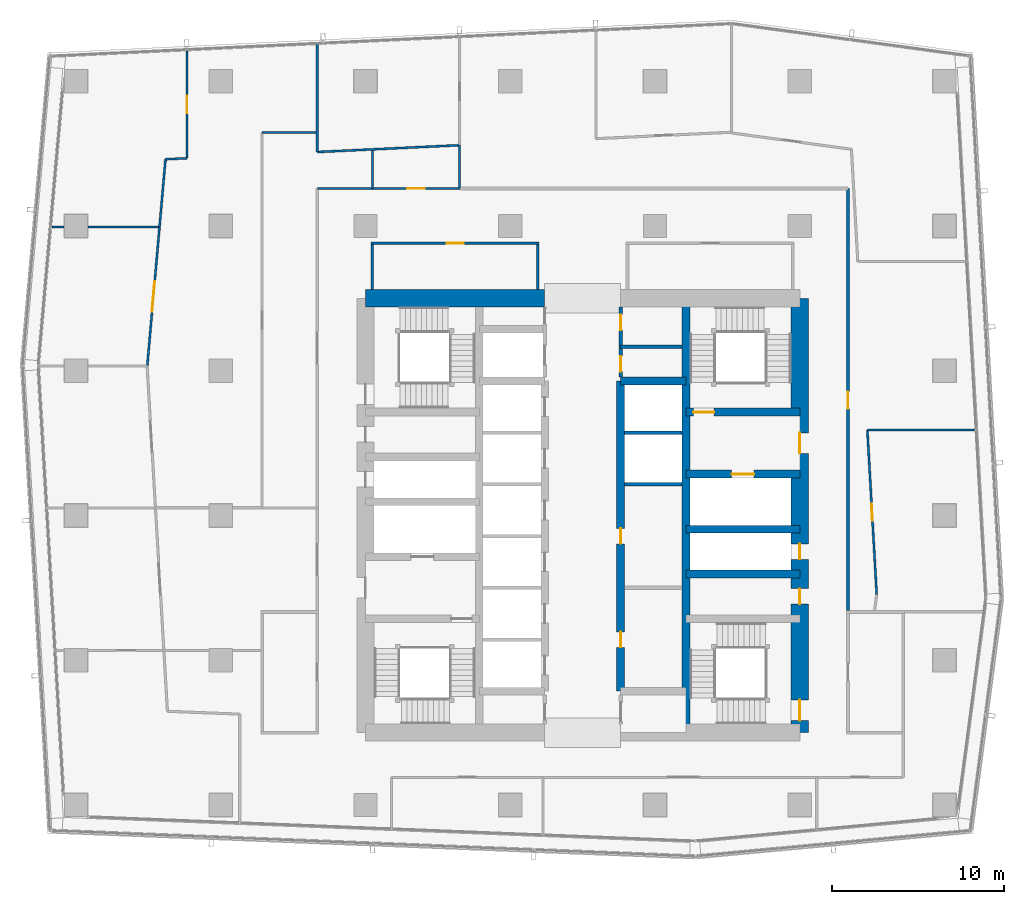
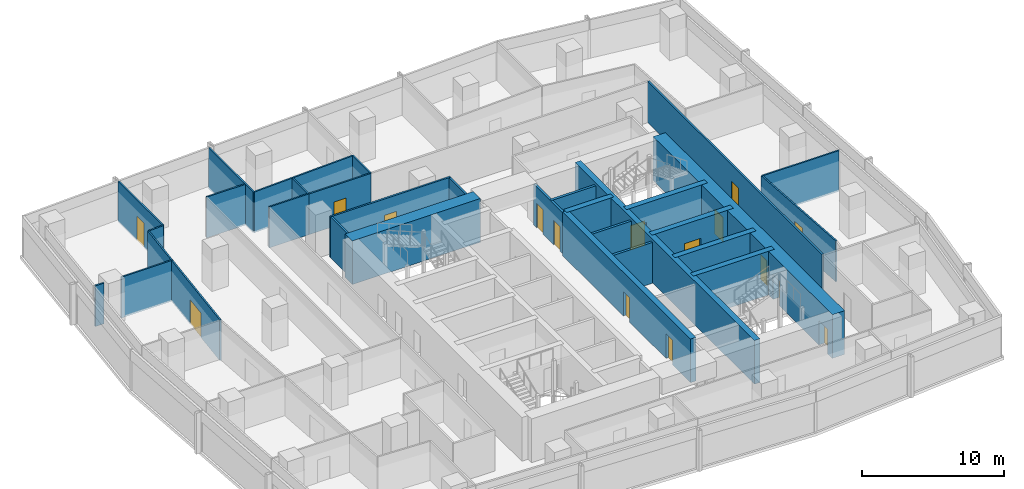
# One storey, part 29 of 39: 32 walls, 16 doors, 16 openings.
"""IFC4 building model written with IfcOpenShell, lengths in metres."""

from ifc_helpers import new_model, si_unit, direction, frame, frame_2d, origin, place, context, subcontext, project, spatial, rectangle, extrude, material, layer, layer_set, type_object, element, fill, save


model = new_model("IFC4")

# Units and contexts
model_context = context("Model", 3, precision=1e-05, world=origin(), true_north=direction((0.0, 1.0)))
body_context = subcontext(model_context, "Body", "Model", "MODEL_VIEW")
ifc_project = project(units=[si_unit("LENGTHUNIT", "METRE"), si_unit("AREAUNIT", "SQUARE_METRE"), si_unit("VOLUMEUNIT", "CUBIC_METRE"), si_unit("PLANEANGLEUNIT", "RADIAN"), si_unit("MASSUNIT", "GRAM", prefix="KILO")], contexts=[model_context])

# Site, building, storey
site_placement = place(None, origin())
site = spatial("IfcSite", under=ifc_project, at=site_placement, CompositionType="ELEMENT")
building_placement = place(site_placement, origin())
building = spatial("IfcBuilding", under=site, at=building_placement, Name="Rekha Terrace Tower", CompositionType="ELEMENT")
storey_placement = place(building_placement, frame((0.0, 0.0, 225.199951171875)))
storey = spatial("IfcBuildingStorey", under=building, at=storey_placement, Name="L57", CompositionType="ELEMENT", Elevation=225.199951171875)

# Wall
ifc_material_1 = material(Name="Concrete M60", Category="concrete")
ifc_layer_1 = layer(ifc_material_1, 0.449951171875)
ifc_layer_set_1 = layer_set([ifc_layer_1], Name="Concrete M60")
wall_type_1 = type_object("IfcWallType", Name="CI3 450 core internal shear wall", PredefinedType="SHEAR", material=ifc_layer_set_1)
wall_1_placement = place(storey_placement, frame((43.800048828125, 21.0, 0.0), z_axis=(0.0, 0.0, 1.0), x_axis=(0.0, 1.0, 0.0)))
element("IfcWall", 1, at=wall_1_placement, inside=storey, type_object=wall_type_1, Name="Core wall X438 L57", PredefinedType="SHEAR", context=body_context, shape_type="SweptSolid", body=[
    extrude(rectangle(XDim=25.199951171875, YDim=0.449951171875, at=frame_2d((12.60009765625, 0.0))), origin(), (0.0, 0.0, 1.0), 3.75),
])

# Wall, openings, doors
wall_2_placement = place(storey_placement, frame((40.0, 23.39990234375, 0.0), z_axis=(0.0, 0.0, 1.0), x_axis=(0.0, 1.0, 0.0)))
wall_2 = element("IfcWall", 2, at=wall_2_placement, inside=storey, type_object=wall_type_1, Name="Core wall X400 L57", PredefinedType="SHEAR", context=body_context, shape_type="SweptSolid", body=[
    extrude(rectangle(XDim=18.0, YDim=0.449951171875, at=frame_2d((9.0, 0.0))), origin(), (0.0, 0.0, 1.0), 3.75),
])
opening_1_placement = place(wall_2_placement, frame((2.550048828125, 0.0, 0.0)))
opening_1 = element("IfcOpeningElement", 3, at=opening_1_placement, cuts=wall_2, Name="Opening D5", PredefinedType="OPENING", context=body_context, shape_type="SweptSolid", body=[
    extrude(rectangle(XDim=0.89990234375, YDim=2.10009765625, at=frame_2d((0.449951171875, 1.050048828125))), frame((0.0, 0.23486328125, 0.0), z_axis=(0.0, -1.0, 0.0), x_axis=(1.0, 0.0, 0.0)), (0.0, 0.0, 1.0), 0.469970703125),
])
opening_2_placement = place(wall_2_placement, frame((8.550048828125, 0.0, 0.0)))
opening_2 = element("IfcOpeningElement", 4, at=opening_2_placement, cuts=wall_2, Name="Opening D5", PredefinedType="OPENING", context=body_context, shape_type="SweptSolid", body=[
    extrude(rectangle(XDim=0.89990234375, YDim=2.10009765625, at=frame_2d((0.449951171875, 1.050048828125))), frame((0.0, 0.23486328125, 0.0), z_axis=(0.0, -1.0, 0.0), x_axis=(1.0, 0.0, 0.0)), (0.0, 0.0, 1.0), 0.469970703125),
])
ifc_material_2 = material(Name="Steel fire door", Category="steel")
door_type_1 = type_object("IfcDoorType", Name="D5 900x2100 riser access door", OperationType="SINGLE_SWING_LEFT", PredefinedType="DOOR", material=ifc_material_2)
door_1_placement = place(opening_1_placement, origin())
door_1 = element("IfcDoor", 5, at=door_1_placement, inside=storey, type_object=door_type_1, Name="Door back-of-house store L57", OperationType="SINGLE_SWING_LEFT", OverallHeight=2.10009765625, OverallWidth=0.89990234375, PredefinedType="DOOR", context=body_context, shape_type="SweptSolid", body=[
    extrude(rectangle(XDim=0.89990234375, YDim=2.10009765625, at=frame_2d((0.449951171875, 1.050048828125))), frame((0.0, 0.02490234375, 0.0), z_axis=(0.0, -1.0, 0.0), x_axis=(1.0, 0.0, 0.0)), (0.0, 0.0, 1.0), 0.050048828125),
])
fill(opening_1, door_1)
door_2_placement = place(opening_2_placement, origin())
door_2 = element("IfcDoor", 6, at=door_2_placement, inside=storey, type_object=door_type_1, Name="Door back-of-house store L57", OperationType="SINGLE_SWING_LEFT", OverallHeight=2.10009765625, OverallWidth=0.89990234375, PredefinedType="DOOR", context=body_context, shape_type="SweptSolid", body=[
    extrude(rectangle(XDim=0.89990234375, YDim=2.10009765625, at=frame_2d((0.449951171875, 1.050048828125))), frame((0.0, 0.02490234375, 0.0), z_axis=(0.0, -1.0, 0.0), x_axis=(1.0, 0.0, 0.0)), (0.0, 0.0, 1.0), 0.050048828125),
])
fill(opening_2, door_2)

# Walls
wall_3_placement = place(storey_placement, frame((40.0, 41.39990234375, 0.0), z_axis=(0.0, 0.0, 1.0), x_axis=(1.0, 0.0, 0.0)))
element("IfcWall", 7, at=wall_3_placement, inside=storey, type_object=wall_type_1, Name="Core wall Y414E L57", PredefinedType="SHEAR", context=body_context, shape_type="SweptSolid", body=[
    extrude(rectangle(XDim=3.800048828125, YDim=0.449951171875, at=frame_2d((1.89990234375, 0.0))), origin(), (0.0, 0.0, 1.0), 3.75),
])
for number, where, z_axis, x_axis, name in (
    (8, (43.800048828125, 30.199951171875, 0.0), (0.0, 0.0, 1.0), (1.0, 0.0, 0.0), "Core wall Y302E L57"),
    (9, (43.800048828125, 32.800048828125, 0.0), (0.0, 0.0, 1.0), (1.0, 0.0, 0.0), "Core wall Y328E L57"),
):
    element("IfcWall", number, at=place(storey_placement, frame(where, z_axis=z_axis, x_axis=x_axis)), inside=storey, type_object=wall_type_1, Name=name, PredefinedType="SHEAR", context=body_context, shape_type="SweptSolid", body=[
        extrude(rectangle(XDim=6.599853515625, YDim=0.449951171875, at=frame_2d((3.2998046875, 0.0))), origin(), (0.0, 0.0, 1.0), 3.75),
    ])

# Wall, opening, door
wall_4_placement = place(storey_placement, frame((43.800048828125, 36.0, 0.0), z_axis=(0.0, 0.0, 1.0), x_axis=(1.0, 0.0, 0.0)))
wall_4 = element("IfcWall", 10, at=wall_4_placement, inside=storey, type_object=wall_type_1, Name="Core wall Y360E L57", PredefinedType="SHEAR", context=body_context, shape_type="SweptSolid", body=[
    extrude(rectangle(XDim=6.599853515625, YDim=0.449951171875, at=frame_2d((3.2998046875, 0.0))), origin(), (0.0, 0.0, 1.0), 3.75),
])
opening_3_placement = place(wall_4_placement, frame((2.64990234375, 0.0, 0.0)))
opening_3 = element("IfcOpeningElement", 11, at=opening_3_placement, cuts=wall_4, Name="Opening LD2", PredefinedType="OPENING", context=body_context, shape_type="SweptSolid", body=[
    extrude(rectangle(XDim=1.300048828125, YDim=2.10009765625, at=frame_2d((0.64990234375, 1.050048828125))), frame((0.0, 0.23486328125, 0.0), z_axis=(0.0, -1.0, 0.0), x_axis=(1.0, 0.0, 0.0)), (0.0, 0.0, 1.0), 0.469970703125),
])
ifc_material_3 = material(Name="Stainless steel sliding landing door", Category="steel")
door_type_2 = type_object("IfcDoorType", Name="LD2 1300x2100 fire lift landing door", OperationType="SLIDING_TO_LEFT", PredefinedType="USERDEFINED", material=ifc_material_3)
door_3_placement = place(opening_3_placement, origin())
door_3 = element("IfcDoor", 12, at=door_3_placement, inside=storey, type_object=door_type_2, Name="Lift FL2 landing door L57", ObjectType="LIFT LANDING DOOR", OperationType="SLIDING_TO_LEFT", OverallHeight=2.10009765625, OverallWidth=1.300048828125, PredefinedType="USERDEFINED", context=body_context, shape_type="SweptSolid", body=[
    extrude(rectangle(XDim=1.300048828125, YDim=2.10009765625, at=frame_2d((0.64990234375, 1.050048828125))), frame((0.0, 0.02490234375, 0.0), z_axis=(0.0, -1.0, 0.0), x_axis=(1.0, 0.0, 0.0)), (0.0, 0.0, 1.0), 0.050048828125),
])
fill(opening_3, door_3)

wall_5_placement = place(storey_placement, frame((43.800048828125, 39.60009765625, 0.0), z_axis=(0.0, 0.0, 1.0), x_axis=(1.0, 0.0, 0.0)))
wall_5 = element("IfcWall", 13, at=wall_5_placement, inside=storey, type_object=wall_type_1, Name="Core wall Y396E L57", PredefinedType="SHEAR", context=body_context, shape_type="SweptSolid", body=[
    extrude(rectangle(XDim=6.599853515625, YDim=0.449951171875, at=frame_2d((3.2998046875, 0.0))), origin(), (0.0, 0.0, 1.0), 3.75),
])
opening_4_placement = place(wall_5_placement, frame((0.425048828125, 0.0, 0.0)))
opening_4 = element("IfcOpeningElement", 14, at=opening_4_placement, cuts=wall_5, Name="Opening D1", PredefinedType="OPENING", context=body_context, shape_type="SweptSolid", body=[
    extrude(rectangle(XDim=1.199951171875, YDim=2.10009765625, at=frame_2d((0.60009765625, 1.050048828125))), frame((0.0, 0.23486328125, 0.0), z_axis=(0.0, -1.0, 0.0), x_axis=(1.0, 0.0, 0.0)), (0.0, 0.0, 1.0), 0.469970703125),
])
door_type_3 = type_object("IfcDoorType", Name="D1 1200x2100 stair fire door", OperationType="SINGLE_SWING_RIGHT", PredefinedType="DOOR", material=ifc_material_2)
door_4_placement = place(opening_4_placement, origin())
door_4 = element("IfcDoor", 15, at=door_4_placement, inside=storey, type_object=door_type_3, Name="Stair ST2 door L57", OperationType="SINGLE_SWING_RIGHT", OverallHeight=2.10009765625, OverallWidth=1.199951171875, PredefinedType="DOOR", context=body_context, shape_type="SweptSolid", body=[
    extrude(rectangle(XDim=1.199951171875, YDim=2.10009765625, at=frame_2d((0.60009765625, 1.050048828125))), frame((0.0, 0.02490234375, 0.0), z_axis=(0.0, -1.0, 0.0), x_axis=(1.0, 0.0, 0.0)), (0.0, 0.0, 1.0), 0.050048828125),
])
fill(opening_4, door_4)

# Wall
ifc_layer_2 = layer(ifc_material_1, 1.0)
ifc_layer_set_2 = layer_set([ifc_layer_2], Name="Concrete M60")
wall_type_2 = type_object("IfcWallType", Name="SW3 1000 core outer shear wall", PredefinedType="SHEAR", material=ifc_layer_set_2)
wall_6_placement = place(storey_placement, frame((25.199951171875, 46.199951171875, 0.0), z_axis=(0.0, 0.0, 1.0), x_axis=(1.0, 0.0, 0.0)))
element("IfcWall", 16, at=wall_6_placement, inside=storey, type_object=wall_type_2, Name="Core wall N1 L57", PredefinedType="SHEAR", context=body_context, shape_type="SweptSolid", body=[
    extrude(rectangle(XDim=10.400146484375, YDim=1.0, at=frame_2d((5.2001953125, 0.0))), origin(), (0.0, 0.0, 1.0), 3.75),
])

# Wall, openings, doors
wall_7_placement = place(storey_placement, frame((50.39990234375, 21.0, 0.0), z_axis=(0.0, 0.0, 1.0), x_axis=(0.0, 1.0, 0.0)))
wall_7 = element("IfcWall", 17, at=wall_7_placement, inside=storey, type_object=wall_type_2, Name="Core wall E L57", PredefinedType="SHEAR", context=body_context, shape_type="SweptSolid", body=[
    extrude(rectangle(XDim=25.199951171875, YDim=1.0, at=frame_2d((12.60009765625, 0.0))), origin(), (0.0, 0.0, 1.0), 3.75),
])
opening_5_placement = place(wall_7_placement, frame((16.199951171875, 0.0, 0.0)))
opening_5 = element("IfcOpeningElement", 18, at=opening_5_placement, cuts=wall_7, Name="Opening D2", PredefinedType="OPENING", context=body_context, shape_type="SweptSolid", body=[
    extrude(rectangle(XDim=1.199951171875, YDim=2.10009765625, at=frame_2d((0.60009765625, 1.050048828125))), frame((0.0, 0.510009765625, 0.0), z_axis=(0.0, -1.0, 0.0), x_axis=(1.0, 0.0, 0.0)), (0.0, 0.0, 1.0), 1.02001953125),
])
opening_6_placement = place(wall_7_placement, frame((10.050048828125, 0.0, 0.0)))
opening_6 = element("IfcOpeningElement", 19, at=opening_6_placement, cuts=wall_7, Name="Opening D5", PredefinedType="OPENING", context=body_context, shape_type="SweptSolid", body=[
    extrude(rectangle(XDim=0.89990234375, YDim=2.10009765625, at=frame_2d((0.449951171875, 1.050048828125))), frame((0.0, 0.510009765625, 0.0), z_axis=(0.0, -1.0, 0.0), x_axis=(1.0, 0.0, 0.0)), (0.0, 0.0, 1.0), 1.02001953125),
])
opening_7_placement = place(wall_7_placement, frame((7.449951171875, 0.0, 0.0)))
opening_7 = element("IfcOpeningElement", 20, at=opening_7_placement, cuts=wall_7, Name="Opening D5", PredefinedType="OPENING", context=body_context, shape_type="SweptSolid", body=[
    extrude(rectangle(XDim=0.89990234375, YDim=2.10009765625, at=frame_2d((0.449951171875, 1.050048828125))), frame((0.0, 0.510009765625, 0.0), z_axis=(0.0, -1.0, 0.0), x_axis=(1.0, 0.0, 0.0)), (0.0, 0.0, 1.0), 1.02001953125),
])
opening_8_placement = place(wall_7_placement, frame((0.699951171875, 0.0, 0.0)))
opening_8 = element("IfcOpeningElement", 21, at=opening_8_placement, cuts=wall_7, Name="Opening D1", PredefinedType="OPENING", context=body_context, shape_type="SweptSolid", body=[
    extrude(rectangle(XDim=1.199951171875, YDim=2.10009765625, at=frame_2d((0.60009765625, 1.050048828125))), frame((0.0, 0.510009765625, 0.0), z_axis=(0.0, -1.0, 0.0), x_axis=(1.0, 0.0, 0.0)), (0.0, 0.0, 1.0), 1.02001953125),
])
door_5_placement = place(opening_8_placement, origin())
door_5 = element("IfcDoor", 22, at=door_5_placement, inside=storey, type_object=door_type_3, Name="Stair ST3 door L57", OperationType="SINGLE_SWING_RIGHT", OverallHeight=2.10009765625, OverallWidth=1.199951171875, PredefinedType="DOOR", context=body_context, shape_type="SweptSolid", body=[
    extrude(rectangle(XDim=1.199951171875, YDim=2.10009765625, at=frame_2d((0.60009765625, 1.050048828125))), frame((0.0, 0.02490234375, 0.0), z_axis=(0.0, -1.0, 0.0), x_axis=(1.0, 0.0, 0.0)), (0.0, 0.0, 1.0), 0.050048828125),
])
fill(opening_8, door_5)
door_type_4 = type_object("IfcDoorType", Name="D2 1200x2100 firefighting lobby door", OperationType="SINGLE_SWING_LEFT", PredefinedType="DOOR", material=ifc_material_2)
door_6_placement = place(opening_5_placement, origin())
door_6 = element("IfcDoor", 23, at=door_6_placement, inside=storey, type_object=door_type_4, Name="Door flb2 L57", OperationType="SINGLE_SWING_LEFT", OverallHeight=2.10009765625, OverallWidth=1.199951171875, PredefinedType="DOOR", context=body_context, shape_type="SweptSolid", body=[
    extrude(rectangle(XDim=1.199951171875, YDim=2.10009765625, at=frame_2d((0.60009765625, 1.050048828125))), frame((0.0, 0.02490234375, 0.0), z_axis=(0.0, -1.0, 0.0), x_axis=(1.0, 0.0, 0.0)), (0.0, 0.0, 1.0), 0.050048828125),
])
fill(opening_5, door_6)
door_7_placement = place(opening_6_placement, origin())
door_7 = element("IfcDoor", 24, at=door_7_placement, inside=storey, type_object=door_type_1, Name="Door rs2 L57", OperationType="SINGLE_SWING_LEFT", OverallHeight=2.10009765625, OverallWidth=0.89990234375, PredefinedType="DOOR", context=body_context, shape_type="SweptSolid", body=[
    extrude(rectangle(XDim=0.89990234375, YDim=2.10009765625, at=frame_2d((0.449951171875, 1.050048828125))), frame((0.0, 0.02490234375, 0.0), z_axis=(0.0, -1.0, 0.0), x_axis=(1.0, 0.0, 0.0)), (0.0, 0.0, 1.0), 0.050048828125),
])
fill(opening_6, door_7)
door_8_placement = place(opening_7_placement, origin())
door_8 = element("IfcDoor", 25, at=door_8_placement, inside=storey, type_object=door_type_1, Name="Door ele L57", OperationType="SINGLE_SWING_LEFT", OverallHeight=2.10009765625, OverallWidth=0.89990234375, PredefinedType="DOOR", context=body_context, shape_type="SweptSolid", body=[
    extrude(rectangle(XDim=0.89990234375, YDim=2.10009765625, at=frame_2d((0.449951171875, 1.050048828125))), frame((0.0, 0.02490234375, 0.0), z_axis=(0.0, -1.0, 0.0), x_axis=(1.0, 0.0, 0.0)), (0.0, 0.0, 1.0), 0.050048828125),
])
fill(opening_7, door_8)

# Wall, opening, door
ifc_material_4 = material(Name="Concrete block masonry, 1 hour", Category="masonry")
ifc_layer_3 = layer(ifc_material_4, 0.14990234375)
ifc_layer_set_3 = layer_set([ifc_layer_3], Name="Concrete block masonry, 1 hour")
wall_type_3 = type_object("IfcWallType", Name="WP2 150 tenancy partition", PredefinedType="PARTITIONING", material=ifc_layer_set_3)
wall_8_placement = place(storey_placement, frame((25.52490234375, 49.39990234375, 0.0), z_axis=(0.0, 0.0, 1.0), x_axis=(1.0, 0.0, 0.0)))
wall_8 = element("IfcWall", 26, at=wall_8_placement, inside=storey, type_object=wall_type_3, Name="Women's WC wall L57", PredefinedType="PARTITIONING", context=body_context, shape_type="SweptSolid", body=[
    extrude(rectangle(XDim=9.75, YDim=0.14990234375, at=frame_2d((4.875, 0.0))), origin(), (0.0, 0.0, 1.0), 3.5),
])
opening_9_placement = place(wall_8_placement, frame((4.375, 0.0, 0.0)))
opening_9 = element("IfcOpeningElement", 27, at=opening_9_placement, cuts=wall_8, Name="Opening D3", PredefinedType="OPENING", context=body_context, shape_type="SweptSolid", body=[
    extrude(rectangle(XDim=1.0, YDim=2.10009765625, at=frame_2d((0.5, 1.050048828125))), frame((0.0, 0.0849609375, 0.0), z_axis=(0.0, -1.0, 0.0), x_axis=(1.0, 0.0, 0.0)), (0.0, 0.0, 1.0), 0.169921875),
])
ifc_material_5 = material(Name="Laminated timber fire door", Category="wood")
door_type_5 = type_object("IfcDoorType", Name="D3 1000x2100 WC door", OperationType="SINGLE_SWING_LEFT", PredefinedType="DOOR", material=ifc_material_5)
door_9_placement = place(opening_9_placement, origin())
door_9 = element("IfcDoor", 28, at=door_9_placement, inside=storey, type_object=door_type_5, Name="Door women's wc L57", OperationType="SINGLE_SWING_LEFT", OverallHeight=2.10009765625, OverallWidth=1.0, PredefinedType="DOOR", context=body_context, shape_type="SweptSolid", body=[
    extrude(rectangle(XDim=1.0, YDim=2.10009765625, at=frame_2d((0.5, 1.050048828125))), frame((0.0, 0.02490234375, 0.0), z_axis=(0.0, -1.0, 0.0), x_axis=(1.0, 0.0, 0.0)), (0.0, 0.0, 1.0), 0.050048828125),
])
fill(opening_9, door_9)

# Walls
for number, where, z_axis, x_axis, name in (
    (29, (25.60009765625, 46.699951171875, 0.0), (0.0, 0.0, 1.0), (0.0, 1.0, 0.0), "Women's WC wall L57"),
    (30, (35.199951171875, 46.699951171875, 0.0), (0.0, 0.0, 1.0), (0.0, 1.0, 0.0), "Women's WC wall L57"),
):
    element("IfcWall", number, at=place(storey_placement, frame(where, z_axis=z_axis, x_axis=x_axis)), inside=storey, type_object=wall_type_3, Name=name, PredefinedType="PARTITIONING", context=body_context, shape_type="SweptSolid", body=[
        extrude(rectangle(XDim=2.625, YDim=0.14990234375, at=frame_2d((1.3125, 0.0))), origin(), (0.0, 0.0, 1.0), 3.5),
    ])

# Wall, opening, door
wall_9_placement = place(storey_placement, frame((53.199951171875, 28.074951171875, 0.0), z_axis=(0.0, 0.0, 1.0), x_axis=(0.0, 1.0, 0.0)))
wall_9 = element("IfcWall", 31, at=wall_9_placement, inside=storey, type_object=wall_type_3, Name="Partition L57-O1", PredefinedType="PARTITIONING", context=body_context, shape_type="SweptSolid", body=[
    extrude(rectangle(XDim=24.5, YDim=0.14990234375, at=frame_2d((12.25, 0.0))), origin(), (0.0, 0.0, 1.0), 3.5),
])
opening_10_placement = place(wall_9_placement, frame((11.712890625, 0.0, 0.0)))
opening_10 = element("IfcOpeningElement", 32, at=opening_10_placement, cuts=wall_9, Name="Opening D9", PredefinedType="OPENING", context=body_context, shape_type="SweptSolid", body=[
    extrude(rectangle(XDim=1.0, YDim=2.10009765625, at=frame_2d((0.5, 1.050048828125))), frame((0.0, 0.0849609375, 0.0), z_axis=(0.0, -1.0, 0.0), x_axis=(1.0, 0.0, 0.0)), (0.0, 0.0, 1.0), 0.169921875),
])
ifc_material_6 = material(Name="Timber fire door", Category="wood")
door_type_6 = type_object("IfcDoorType", Name="D9 1000x2100 office door", OperationType="SINGLE_SWING_LEFT", PredefinedType="DOOR", material=ifc_material_6)
door_10_placement = place(opening_10_placement, origin())
door_10 = element("IfcDoor", 33, at=door_10_placement, inside=storey, type_object=door_type_6, Name="Door open-plan office L57", OperationType="SINGLE_SWING_LEFT", OverallHeight=2.10009765625, OverallWidth=1.0, PredefinedType="DOOR", context=body_context, shape_type="SweptSolid", body=[
    extrude(rectangle(XDim=1.0, YDim=2.10009765625, at=frame_2d((0.5, 1.050048828125))), frame((0.0, 0.02490234375, 0.0), z_axis=(0.0, -1.0, 0.0), x_axis=(1.0, 0.0, 0.0)), (0.0, 0.0, 1.0), 0.050048828125),
])
fill(opening_10, door_10)

ifc_material_7 = material(Name="Two layers of fire-rated gypsum board each side on steel studs, acoustic quilt, 1 hour", Category="steel")
ifc_layer_4 = layer(ifc_material_7, 0.125)
ifc_layer_set_4 = layer_set([ifc_layer_4], Name="Two layers of fire-rated gypsum board each side on steel studs, acoustic quilt, 1 hour")
wall_type_4 = type_object("IfcWallType", Name="WP3 125 office partition", PredefinedType="PARTITIONING", material=ifc_layer_set_4)
wall_10_placement = place(storey_placement, frame((54.862060546875, 29.01708984375, 0.0), z_axis=(0.0, 0.0, 1.0), x_axis=(-0.056632031714, 0.99839511867, 0.0)))
wall_10 = element("IfcWall", 34, at=wall_10_placement, inside=storey, type_object=wall_type_4, Name="Partition L57-04", PredefinedType="PARTITIONING", context=body_context, shape_type="SweptSolid", body=[
    extrude(rectangle(XDim=9.55322265625, YDim=0.125, at=frame_2d((4.776611328125, 0.0))), origin(), (0.0, 0.0, 1.0), 3.5),
])
opening_11_placement = place(wall_10_placement, frame((4.277099609375, 0.0, 0.0)))
opening_11 = element("IfcOpeningElement", 35, at=opening_11_placement, cuts=wall_10, Name="Opening D9", PredefinedType="OPENING", context=body_context, shape_type="SweptSolid", body=[
    extrude(rectangle(XDim=1.0, YDim=2.10009765625, at=frame_2d((0.5, 1.050048828125))), frame((0.0, 0.072509765625, 0.0), z_axis=(0.0, -1.0, 0.0), x_axis=(1.0, 0.0, 0.0)), (0.0, 0.0, 1.0), 0.14501953125),
])
door_11_placement = place(opening_11_placement, origin())
door_11 = element("IfcDoor", 36, at=door_11_placement, inside=storey, type_object=door_type_6, Name="Door director's office L57", OperationType="SINGLE_SWING_LEFT", OverallHeight=2.10009765625, OverallWidth=1.0, PredefinedType="DOOR", context=body_context, shape_type="SweptSolid", body=[
    extrude(rectangle(XDim=1.0, YDim=2.10009765625, at=frame_2d((0.5, 1.050048828125))), frame((0.0, 0.02490234375, 0.0), z_axis=(0.0, -1.0, 0.0), x_axis=(1.0, 0.0, 0.0)), (0.0, 0.0, 1.0), 0.050048828125),
])
fill(opening_11, door_11)

# Walls
wall_11_placement = place(storey_placement, frame((54.321044921875, 38.554931640625, 0.0), z_axis=(0.0, 0.0, 1.0), x_axis=(1.0, 0.0, 0.0)))
element("IfcWall", 37, at=wall_11_placement, inside=storey, type_object=wall_type_4, Name="Partition L57-04", PredefinedType="PARTITIONING", context=body_context, shape_type="SweptSolid", body=[
    extrude(rectangle(XDim=6.22998046875, YDim=0.125, at=frame_2d((3.114990234375, 0.0))), origin(), (0.0, 0.0, 1.0), 3.5),
])
wall_12_placement = place(storey_placement, frame((30.660888671875, 55.0859375, 0.0), z_axis=(0.0, 0.0, 1.0), x_axis=(-0.998858431805, -0.047768537897, 0.0)))
element("IfcWall", 38, at=wall_12_placement, inside=storey, type_object=wall_type_4, Name="Partition L57-07", PredefinedType="PARTITIONING", context=body_context, shape_type="SweptSolid", body=[
    extrude(rectangle(XDim=8.26953125, YDim=0.125, at=frame_2d((4.134765625, 0.0))), origin(), (0.0, 0.0, 1.0), 3.5),
])
wall_13_placement = place(storey_placement, frame((22.40087890625, 54.69091796875, 0.0), z_axis=(0.0, 0.0, 1.0), x_axis=(0.0, 1.0, 0.0)))
element("IfcWall", 39, at=wall_13_placement, inside=storey, type_object=wall_type_4, Name="Partition L57-07", PredefinedType="PARTITIONING", context=body_context, shape_type="SweptSolid", body=[
    extrude(rectangle(XDim=6.257080078125, YDim=0.125, at=frame_2d((3.12841796875, 0.0))), origin(), (0.0, 0.0, 1.0), 3.5),
])

# Wall, opening, door
wall_14_placement = place(storey_placement, frame((14.842041015625, 60.556884765625, 0.0), z_axis=(0.0, 0.0, 1.0), x_axis=(0.0, -1.0, 0.0)))
wall_14 = element("IfcWall", 40, at=wall_14_placement, inside=storey, type_object=wall_type_4, Name="Partition L57-08", PredefinedType="PARTITIONING", context=body_context, shape_type="SweptSolid", body=[
    extrude(rectangle(XDim=6.227783203125, YDim=0.125, at=frame_2d((3.11376953125, 0.0))), origin(), (0.0, 0.0, 1.0), 3.5),
])
opening_12_placement = place(wall_14_placement, frame((2.614013671875, 0.0, 0.0)))
opening_12 = element("IfcOpeningElement", 41, at=opening_12_placement, cuts=wall_14, Name="Opening D9", PredefinedType="OPENING", context=body_context, shape_type="SweptSolid", body=[
    extrude(rectangle(XDim=1.0, YDim=2.10009765625, at=frame_2d((0.5, 1.050048828125))), frame((0.0, 0.072509765625, 0.0), z_axis=(0.0, -1.0, 0.0), x_axis=(1.0, 0.0, 0.0)), (0.0, 0.0, 1.0), 0.14501953125),
])
door_12_placement = place(opening_12_placement, origin())
door_12 = element("IfcDoor", 42, at=door_12_placement, inside=storey, type_object=door_type_6, Name="Door director's office L57", OperationType="SINGLE_SWING_LEFT", OverallHeight=2.10009765625, OverallWidth=1.0, PredefinedType="DOOR", context=body_context, shape_type="SweptSolid", body=[
    extrude(rectangle(XDim=1.0, YDim=2.10009765625, at=frame_2d((0.5, 1.050048828125))), frame((0.0, 0.02490234375, 0.0), z_axis=(0.0, -1.0, 0.0), x_axis=(1.0, 0.0, 0.0)), (0.0, 0.0, 1.0), 0.050048828125),
])
fill(opening_12, door_12)

# Walls
wall_15_placement = place(storey_placement, frame((14.842041015625, 54.3291015625, 0.0), z_axis=(0.0, 0.0, 1.0), x_axis=(-0.998883106922, -0.047249748216, 0.0)))
element("IfcWall", 43, at=wall_15_placement, inside=storey, type_object=wall_type_4, Name="Partition L57-08", PredefinedType="PARTITIONING", context=body_context, shape_type="SweptSolid", body=[
    extrude(rectangle(XDim=1.25048828125, YDim=0.125, at=frame_2d((0.625244140625, 0.0))), origin(), (0.0, 0.0, 1.0), 3.5),
])
wall_16_placement = place(storey_placement, frame((13.593017578125, 54.27001953125, 0.0), z_axis=(0.0, 0.0, 1.0), x_axis=(-0.088001948608, -0.996120302494, 0.0)))
element("IfcWall", 44, at=wall_16_placement, inside=storey, type_object=wall_type_4, Name="Partition L57-08", PredefinedType="PARTITIONING", context=body_context, shape_type="SweptSolid", body=[
    extrude(rectangle(XDim=3.953369140625, YDim=0.125, at=frame_2d((1.9765625, 0.0))), origin(), (0.0, 0.0, 1.0), 3.5),
])
wall_17_placement = place(storey_placement, frame((13.2451171875, 50.33203125, 0.0), z_axis=(0.0, 0.0, 1.0), x_axis=(-1.0, 0.0, 0.0)))
element("IfcWall", 45, at=wall_17_placement, inside=storey, type_object=wall_type_4, Name="Partition L57-08", PredefinedType="PARTITIONING", context=body_context, shape_type="SweptSolid", body=[
    extrude(rectangle(XDim=4.150146484375, YDim=0.125, at=frame_2d((2.0751953125, 0.0))), origin(), (0.0, 0.0, 1.0), 3.5),
])
wall_18_placement = place(storey_placement, frame((7.705078125, 50.33203125, 0.0), z_axis=(0.0, 0.0, 1.0), x_axis=(-1.0, 0.0, 0.0)))
element("IfcWall", 46, at=wall_18_placement, inside=storey, type_object=wall_type_4, Name="Partition L57-08", PredefinedType="PARTITIONING", context=body_context, shape_type="SweptSolid", body=[
    extrude(rectangle(XDim=0.7041015625, YDim=0.125, at=frame_2d((0.35205078125, 0.0))), origin(), (0.0, 0.0, 1.0), 3.5),
])

# Wall, opening, door
wall_19_placement = place(storey_placement, frame((13.2451171875, 50.3310546875, 0.0), z_axis=(0.0, 0.0, 1.0), x_axis=(-0.087903511106, -0.996128994024, 0.0)))
wall_19 = element("IfcWall", 47, at=wall_19_placement, inside=storey, type_object=wall_type_4, Name="Partition L57-09", PredefinedType="PARTITIONING", context=body_context, shape_type="SweptSolid", body=[
    extrude(rectangle(XDim=8.079345703125, YDim=0.125, at=frame_2d((4.03955078125, 0.0))), origin(), (0.0, 0.0, 1.0), 3.5),
])
opening_13_placement = place(wall_19_placement, frame((3.139892578125, 0.0, 0.0)))
opening_13 = element("IfcOpeningElement", 48, at=opening_13_placement, cuts=wall_19, Name="Opening D8", PredefinedType="OPENING", context=body_context, shape_type="SweptSolid", body=[
    extrude(rectangle(XDim=1.800048828125, YDim=2.10009765625, at=frame_2d((0.89990234375, 1.050048828125))), frame((0.0, 0.072509765625, 0.0), z_axis=(0.0, -1.0, 0.0), x_axis=(1.0, 0.0, 0.0)), (0.0, 0.0, 1.0), 0.14501953125),
])
door_type_7 = type_object("IfcDoorType", Name="D8 1800x2100 double leaf door", OperationType="DOUBLE_DOOR_SINGLE_SWING", PredefinedType="DOOR", material=ifc_material_6)
door_13_placement = place(opening_13_placement, origin())
door_13 = element("IfcDoor", 49, at=door_13_placement, inside=storey, type_object=door_type_7, Name="Door print room L57", OperationType="DOUBLE_DOOR_SINGLE_SWING", OverallHeight=2.10009765625, OverallWidth=1.800048828125, PredefinedType="DOOR", context=body_context, shape_type="SweptSolid", body=[
    extrude(rectangle(XDim=1.800048828125, YDim=2.10009765625, at=frame_2d((0.89990234375, 1.050048828125))), frame((0.0, 0.02490234375, 0.0), z_axis=(0.0, -1.0, 0.0), x_axis=(1.0, 0.0, 0.0)), (0.0, 0.0, 1.0), 0.050048828125),
])
fill(opening_13, door_13)

# Walls
wall_20_placement = place(storey_placement, frame((25.60009765625, 54.781005859375, 0.0), z_axis=(0.0, 0.0, 1.0), x_axis=(0.0, -1.0, 0.0)))
element("IfcWall", 50, at=wall_20_placement, inside=storey, type_object=wall_type_4, Name="Partition L57-13", PredefinedType="PARTITIONING", context=body_context, shape_type="SweptSolid", body=[
    extrude(rectangle(XDim=2.2060546875, YDim=0.125, at=frame_2d((1.10302734375, 0.0))), origin(), (0.0, 0.0, 1.0), 3.5),
])
wall_21_placement = place(storey_placement, frame((25.60009765625, 52.574951171875, 0.0), z_axis=(0.0, 0.0, 1.0), x_axis=(-1.0, 0.0, 0.0)))
element("IfcWall", 51, at=wall_21_placement, inside=storey, type_object=wall_type_4, Name="Partition L57-13", PredefinedType="PARTITIONING", context=body_context, shape_type="SweptSolid", body=[
    extrude(rectangle(XDim=3.2001953125, YDim=0.125, at=frame_2d((1.60009765625, 0.0))), origin(), (0.0, 0.0, 1.0), 3.5),
])
wall_22_placement = place(storey_placement, frame((19.199951171875, 55.8291015625, 0.0), z_axis=(0.0, 0.0, 1.0), x_axis=(1.0, 0.0, 0.0)))
element("IfcWall", 52, at=wall_22_placement, inside=storey, type_object=wall_type_4, Name="Partition L57-13", PredefinedType="PARTITIONING", context=body_context, shape_type="SweptSolid", body=[
    extrude(rectangle(XDim=3.137939453125, YDim=0.125, at=frame_2d((1.56884765625, 0.0))), origin(), (0.0, 0.0, 1.0), 3.5),
])

# Wall, opening, door
wall_23_placement = place(storey_placement, frame((30.660888671875, 52.574951171875, 0.0), z_axis=(0.0, 0.0, 1.0), x_axis=(-1.0, 0.0, 0.0)))
wall_23 = element("IfcWall", 53, at=wall_23_placement, inside=storey, type_object=wall_type_4, Name="Partition L57-14", PredefinedType="PARTITIONING", context=body_context, shape_type="SweptSolid", body=[
    extrude(rectangle(XDim=5.060791015625, YDim=0.125, at=frame_2d((2.5302734375, 0.0))), origin(), (0.0, 0.0, 1.0), 3.5),
])
opening_14_placement = place(wall_23_placement, frame((2.030029296875, 0.0, 0.0)))
opening_14 = element("IfcOpeningElement", 54, at=opening_14_placement, cuts=wall_23, Name="Opening D9", PredefinedType="OPENING", context=body_context, shape_type="SweptSolid", body=[
    extrude(rectangle(XDim=1.0, YDim=2.10009765625, at=frame_2d((0.5, 1.050048828125))), frame((0.0, 0.072509765625, 0.0), z_axis=(0.0, -1.0, 0.0), x_axis=(1.0, 0.0, 0.0)), (0.0, 0.0, 1.0), 0.14501953125),
])
door_14_placement = place(opening_14_placement, origin())
door_14 = element("IfcDoor", 55, at=door_14_placement, inside=storey, type_object=door_type_6, Name="Door meeting room L57", OperationType="SINGLE_SWING_LEFT", OverallHeight=2.10009765625, OverallWidth=1.0, PredefinedType="DOOR", context=body_context, shape_type="SweptSolid", body=[
    extrude(rectangle(XDim=1.0, YDim=2.10009765625, at=frame_2d((0.5, 1.050048828125))), frame((0.0, 0.02490234375, 0.0), z_axis=(0.0, -1.0, 0.0), x_axis=(1.0, 0.0, 0.0)), (0.0, 0.0, 1.0), 0.050048828125),
])
fill(opening_14, door_14)

# Walls
wall_24_placement = place(storey_placement, frame((30.660888671875, 55.0859375, 0.0), z_axis=(0.0, 0.0, 1.0), x_axis=(0.0, -1.0, 0.0)))
element("IfcWall", 56, at=wall_24_placement, inside=storey, type_object=wall_type_4, Name="Partition L57-14", PredefinedType="PARTITIONING", context=body_context, shape_type="SweptSolid", body=[
    extrude(rectangle(XDim=2.510986328125, YDim=0.125, at=frame_2d((1.25537109375, 0.0))), origin(), (0.0, 0.0, 1.0), 3.5),
])
ifc_material_8 = material(Name="Solid concrete block masonry, 2 hour", Category="masonry")
ifc_layer_5 = layer(ifc_material_8, 0.199951171875)
ifc_layer_set_5 = layer_set([ifc_layer_5], Name="Solid concrete block masonry, 2 hour")
wall_type_5 = type_object("IfcWallType", Name="WS1 200 stair and shaft enclosure", PredefinedType="PARTITIONING", material=ifc_layer_set_5)
for number, where, z_axis, x_axis, name in (
    (57, (40.22509765625, 35.39990234375, 0.0), (0.0, 0.0, 1.0), (1.0, 0.0, 0.0), "Lift shaft divider L57"),
    (58, (40.22509765625, 38.39990234375, 0.0), (0.0, 0.0, 1.0), (1.0, 0.0, 0.0), "Lift shaft divider L57"),
):
    element("IfcWall", number, at=place(storey_placement, frame(where, z_axis=z_axis, x_axis=x_axis)), inside=storey, type_object=wall_type_5, Name=name, PredefinedType="PARTITIONING", context=body_context, shape_type="SweptSolid", body=[
        extrude(rectangle(XDim=3.349853515625, YDim=0.199951171875, at=frame_2d((1.6748046875, 0.0))), origin(), (0.0, 0.0, 1.0), 3.5),
    ])

# Wall, openings, doors
wall_25_placement = place(storey_placement, frame((40.0, 41.625, 0.0), z_axis=(0.0, 0.0, 1.0), x_axis=(0.0, 1.0, 0.0)))
wall_25 = element("IfcWall", 59, at=wall_25_placement, inside=storey, type_object=wall_type_5, Name="Core partition elec L57", PredefinedType="PARTITIONING", context=body_context, shape_type="SweptSolid", body=[
    extrude(rectangle(XDim=4.074951171875, YDim=0.199951171875, at=frame_2d((2.03759765625, 0.0))), origin(), (0.0, 0.0, 1.0), 3.5),
])
opening_15_placement = place(wall_25_placement, frame((2.72509765625, 0.0, 0.0)))
opening_15 = element("IfcOpeningElement", 60, at=opening_15_placement, cuts=wall_25, Name="Opening D5", PredefinedType="OPENING", context=body_context, shape_type="SweptSolid", body=[
    extrude(rectangle(XDim=0.89990234375, YDim=2.10009765625, at=frame_2d((0.449951171875, 1.050048828125))), frame((0.0, 0.10986328125, 0.0), z_axis=(0.0, -1.0, 0.0), x_axis=(1.0, 0.0, 0.0)), (0.0, 0.0, 1.0), 0.219970703125),
])
opening_16_placement = place(wall_25_placement, frame((0.324951171875, 0.0, 0.0)))
opening_16 = element("IfcOpeningElement", 61, at=opening_16_placement, cuts=wall_25, Name="Opening D5", PredefinedType="OPENING", context=body_context, shape_type="SweptSolid", body=[
    extrude(rectangle(XDim=0.89990234375, YDim=2.10009765625, at=frame_2d((0.449951171875, 1.050048828125))), frame((0.0, 0.10986328125, 0.0), z_axis=(0.0, -1.0, 0.0), x_axis=(1.0, 0.0, 0.0)), (0.0, 0.0, 1.0), 0.219970703125),
])
door_15_placement = place(opening_15_placement, origin())
door_15 = element("IfcDoor", 62, at=door_15_placement, inside=storey, type_object=door_type_1, Name="Door electrical room L57", OperationType="SINGLE_SWING_LEFT", OverallHeight=2.10009765625, OverallWidth=0.89990234375, PredefinedType="DOOR", context=body_context, shape_type="SweptSolid", body=[
    extrude(rectangle(XDim=0.89990234375, YDim=2.10009765625, at=frame_2d((0.449951171875, 1.050048828125))), frame((0.0, 0.02490234375, 0.0), z_axis=(0.0, -1.0, 0.0), x_axis=(1.0, 0.0, 0.0)), (0.0, 0.0, 1.0), 0.050048828125),
])
fill(opening_15, door_15)
door_16_placement = place(opening_16_placement, origin())
door_16 = element("IfcDoor", 63, at=door_16_placement, inside=storey, type_object=door_type_1, Name="Door records store L57", OperationType="SINGLE_SWING_LEFT", OverallHeight=2.10009765625, OverallWidth=0.89990234375, PredefinedType="DOOR", context=body_context, shape_type="SweptSolid", body=[
    extrude(rectangle(XDim=0.89990234375, YDim=2.10009765625, at=frame_2d((0.449951171875, 1.050048828125))), frame((0.0, 0.02490234375, 0.0), z_axis=(0.0, -1.0, 0.0), x_axis=(1.0, 0.0, 0.0)), (0.0, 0.0, 1.0), 0.050048828125),
])
fill(opening_16, door_16)

# Wall
wall_26_placement = place(storey_placement, frame((40.0, 43.39990234375, 0.0), z_axis=(0.0, 0.0, 1.0), x_axis=(1.0, 0.0, 0.0)))
element("IfcWall", 64, at=wall_26_placement, inside=storey, type_object=wall_type_5, Name="Core partition elx L57", PredefinedType="PARTITIONING", context=body_context, shape_type="SweptSolid", body=[
    extrude(rectangle(XDim=3.574951171875, YDim=0.199951171875, at=frame_2d((1.78759765625, 0.0))), origin(), (0.0, 0.0, 1.0), 3.5),
])

save(model, "model.ifc")
